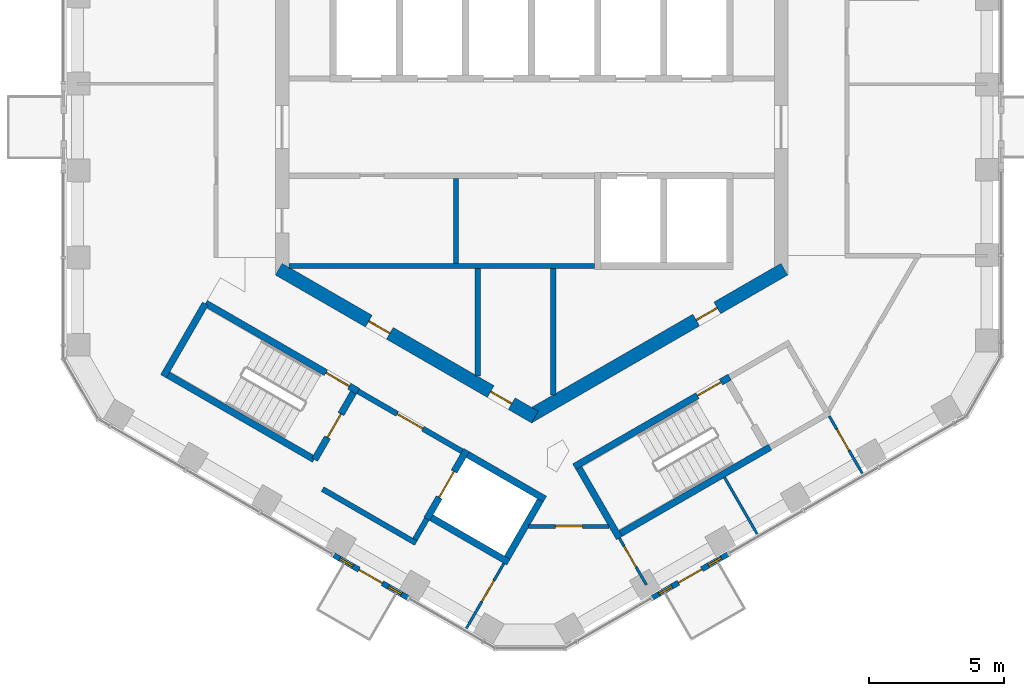
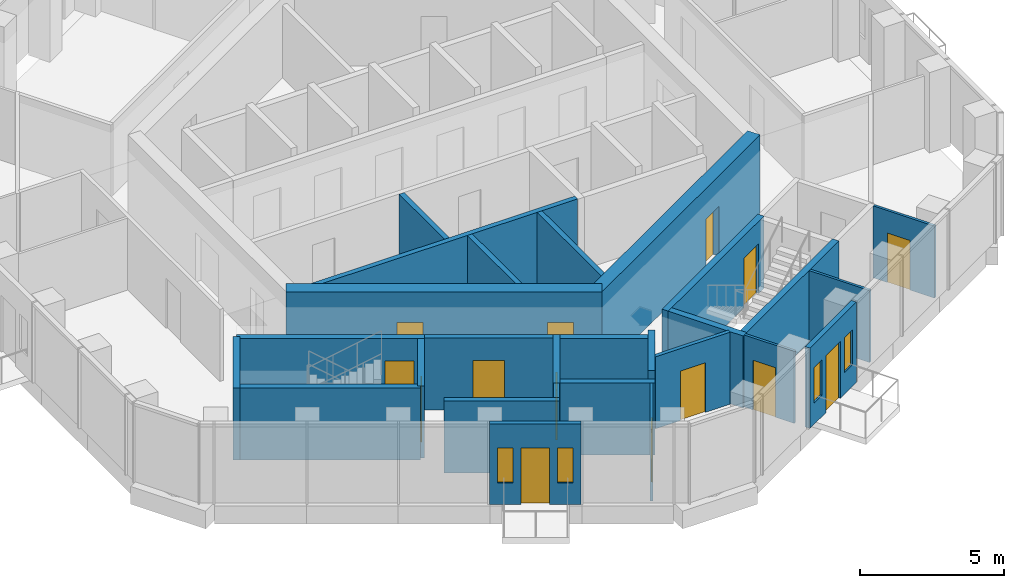
# One storey, part 13 of 19: 27 walls, 14 doors, 4 windows, 18 openings.
"""IFC4 building model written with IfcOpenShell, lengths in metres."""

from ifc_helpers import new_model, si_unit, direction, frame, frame_2d, origin, place, context, subcontext, project, spatial, rectangle, extrude, material, layer, layer_set, type_object, element, fill, save


model = new_model("IFC4")

# Units and contexts
model_context = context("Model", 3, precision=1e-05, world=origin(), true_north=direction((0.0, 1.0)))
body_context = subcontext(model_context, "Body", "Model", "MODEL_VIEW")
ifc_project = project(units=[si_unit("LENGTHUNIT", "METRE"), si_unit("AREAUNIT", "SQUARE_METRE"), si_unit("VOLUMEUNIT", "CUBIC_METRE"), si_unit("PLANEANGLEUNIT", "RADIAN"), si_unit("MASSUNIT", "GRAM", prefix="KILO")], contexts=[model_context])

# Site, building, storey
site_placement = place(None, origin())
site = spatial("IfcSite", under=ifc_project, at=site_placement, CompositionType="ELEMENT")
building_placement = place(site_placement, origin())
building = spatial("IfcBuilding", under=site, at=building_placement, Name="Ayvan Gate Tower", CompositionType="ELEMENT")
storey_placement = place(building_placement, frame((0.0, 0.0, 222.300048828125)))
storey = spatial("IfcBuildingStorey", under=building, at=storey_placement, Name="L59", CompositionType="ELEMENT", Elevation=222.300048828125)

# Wall, openings, door, windows
ifc_material_1 = material(Name="Insulated metal panel wall")
ifc_layer_1 = layer(ifc_material_1, 0.199951171875)
ifc_layer_set_1 = layer_set([ifc_layer_1], Name="Insulated metal panel wall")
wall_type_1 = type_object("IfcWallType", Name="Balcony door wall 200", PredefinedType="SOLIDWALL", material=ifc_layer_set_1)
wall_1_placement = place(storey_placement, frame((-7.3349609375, -15.871337890625, 0.0), z_axis=(0.0, 0.0, 1.0), x_axis=(0.866032778651, -0.499987226139, 0.0)))
wall_1 = element("IfcWall", 1, at=wall_1_placement, inside=storey, type_object=wall_type_1, Name="EW:L59:4:3", PredefinedType="SOLIDWALL", context=body_context, shape_type="SweptSolid", body=[
    extrude(rectangle(XDim=3.166015625, YDim=0.199951171875, at=frame_2d((1.5830078125, 0.0))), origin(), (0.0, 0.0, 1.0), 3.39990234375),
])
opening_1_placement = place(wall_1_placement, frame((1.0830078125, 0.0, 0.0)))
opening_1 = element("IfcOpeningElement", 2, at=opening_1_placement, cuts=wall_1, Name="Opening L59-D94", PredefinedType="OPENING", context=body_context, shape_type="SweptSolid", body=[
    extrude(rectangle(XDim=1.0, YDim=2.39990234375, at=frame_2d((0.5, 1.199951171875))), frame((0.0, 0.10986328125, 0.0), z_axis=(0.0, -1.0, 0.0), x_axis=(1.0, 0.0, 0.0)), (0.0, 0.0, 1.0), 0.219970703125),
])
opening_2_placement = place(wall_1_placement, frame((0.2666015625, 0.0, 0.89990234375)))
opening_2 = element("IfcOpeningElement", 3, at=opening_2_placement, cuts=wall_1, Name="Opening W-B4", PredefinedType="OPENING", context=body_context, shape_type="SweptSolid", body=[
    extrude(rectangle(XDim=0.550048828125, YDim=1.5, at=frame_2d((0.27490234375, 0.75))), frame((0.0, 0.10986328125, 0.0), z_axis=(0.0, -1.0, 0.0), x_axis=(1.0, 0.0, 0.0)), (0.0, 0.0, 1.0), 0.219970703125),
])
opening_3_placement = place(wall_1_placement, frame((2.349609375, 0.0, 0.89990234375)))
opening_3 = element("IfcOpeningElement", 4, at=opening_3_placement, cuts=wall_1, Name="Opening W-B4", PredefinedType="OPENING", context=body_context, shape_type="SweptSolid", body=[
    extrude(rectangle(XDim=0.550048828125, YDim=1.5, at=frame_2d((0.27490234375, 0.75))), frame((0.0, 0.10986328125, 0.0), z_axis=(0.0, -1.0, 0.0), x_axis=(1.0, 0.0, 0.0)), (0.0, 0.0, 1.0), 0.219970703125),
])
ifc_material_2 = material(Name="Bronze anodised aluminium and clear glass", Category="aluminium")
door_type_1 = type_object("IfcDoorType", Name="Balcony door D-B", OperationType="SINGLE_SWING_RIGHT", PredefinedType="DOOR", material=ifc_material_2)
door_1_placement = place(opening_1_placement, origin())
door_1 = element("IfcDoor", 5, at=door_1_placement, inside=storey, type_object=door_type_1, Name="Balcony door BAL-L59-4", OperationType="SINGLE_SWING_RIGHT", OverallHeight=2.39990234375, OverallWidth=1.0, PredefinedType="DOOR", context=body_context, shape_type="SweptSolid", body=[
    extrude(rectangle(XDim=1.0, YDim=2.39990234375, at=frame_2d((0.5, 1.199951171875))), frame((0.0, 0.02490234375, 0.0), z_axis=(0.0, -1.0, 0.0), x_axis=(1.0, 0.0, 0.0)), (0.0, 0.0, 1.0), 0.050048828125),
])
fill(opening_1, door_1)
window_type = type_object("IfcWindowType", Name="Balcony side light W-B Z4", PartitioningType="SINGLE_PANEL", PredefinedType="WINDOW", material=ifc_material_2)
window_1_placement = place(opening_2_placement, origin())
window_1 = element("IfcWindow", 6, at=window_1_placement, inside=storey, type_object=window_type, Name="Balcony side light BAL-L59-4.1", OverallHeight=1.5, OverallWidth=0.550048828125, PartitioningType="SINGLE_PANEL", PredefinedType="WINDOW", context=body_context, shape_type="SweptSolid", body=[
    extrude(rectangle(XDim=0.550048828125, YDim=1.5, at=frame_2d((0.27490234375, 0.75))), frame((0.0, 0.030029296875, 0.0), z_axis=(0.0, -1.0, 0.0), x_axis=(1.0, 0.0, 0.0)), (0.0, 0.0, 1.0), 0.06005859375),
])
fill(opening_2, window_1)
window_2_placement = place(opening_3_placement, origin())
window_2 = element("IfcWindow", 7, at=window_2_placement, inside=storey, type_object=window_type, Name="Balcony side light BAL-L59-4.2", OverallHeight=1.5, OverallWidth=0.550048828125, PartitioningType="SINGLE_PANEL", PredefinedType="WINDOW", context=body_context, shape_type="SweptSolid", body=[
    extrude(rectangle(XDim=0.550048828125, YDim=1.5, at=frame_2d((0.27490234375, 0.75))), frame((0.0, 0.030029296875, 0.0), z_axis=(0.0, -1.0, 0.0), x_axis=(1.0, 0.0, 0.0)), (0.0, 0.0, 1.0), 0.06005859375),
])
fill(opening_3, window_2)

wall_2_placement = place(storey_placement, frame((4.48388671875, -17.448974609375, 0.0), z_axis=(0.0, 0.0, 1.0), x_axis=(0.866023062494, 0.500004055213, 0.0)))
wall_2 = element("IfcWall", 8, at=wall_2_placement, inside=storey, type_object=wall_type_1, Name="EW:L59:5:1", PredefinedType="SOLIDWALL", context=body_context, shape_type="SweptSolid", body=[
    extrude(rectangle(XDim=3.22705078125, YDim=0.199951171875, at=frame_2d((1.613525390625, 0.0))), origin(), (0.0, 0.0, 1.0), 3.39990234375),
])
opening_4_placement = place(wall_2_placement, frame((1.113525390625, 0.0, 0.0)))
opening_4 = element("IfcOpeningElement", 9, at=opening_4_placement, cuts=wall_2, Name="Opening L59-D95", PredefinedType="OPENING", context=body_context, shape_type="SweptSolid", body=[
    extrude(rectangle(XDim=1.0, YDim=2.39990234375, at=frame_2d((0.5, 1.199951171875))), frame((0.0, 0.10986328125, 0.0), z_axis=(0.0, -1.0, 0.0), x_axis=(1.0, 0.0, 0.0)), (0.0, 0.0, 1.0), 0.219970703125),
])
opening_5_placement = place(wall_2_placement, frame((0.28173828125, 0.0, 0.89990234375)))
opening_5 = element("IfcOpeningElement", 10, at=opening_5_placement, cuts=wall_2, Name="Opening W-B4", PredefinedType="OPENING", context=body_context, shape_type="SweptSolid", body=[
    extrude(rectangle(XDim=0.550048828125, YDim=1.5, at=frame_2d((0.27490234375, 0.75))), frame((0.0, 0.10986328125, 0.0), z_axis=(0.0, -1.0, 0.0), x_axis=(1.0, 0.0, 0.0)), (0.0, 0.0, 1.0), 0.219970703125),
])
opening_6_placement = place(wall_2_placement, frame((2.395263671875, 0.0, 0.89990234375)))
opening_6 = element("IfcOpeningElement", 11, at=opening_6_placement, cuts=wall_2, Name="Opening W-B4", PredefinedType="OPENING", context=body_context, shape_type="SweptSolid", body=[
    extrude(rectangle(XDim=0.550048828125, YDim=1.5, at=frame_2d((0.27490234375, 0.75))), frame((0.0, 0.10986328125, 0.0), z_axis=(0.0, -1.0, 0.0), x_axis=(1.0, 0.0, 0.0)), (0.0, 0.0, 1.0), 0.219970703125),
])
door_2_placement = place(opening_4_placement, origin())
door_2 = element("IfcDoor", 12, at=door_2_placement, inside=storey, type_object=door_type_1, Name="Balcony door BAL-L59-5", OperationType="SINGLE_SWING_RIGHT", OverallHeight=2.39990234375, OverallWidth=1.0, PredefinedType="DOOR", context=body_context, shape_type="SweptSolid", body=[
    extrude(rectangle(XDim=1.0, YDim=2.39990234375, at=frame_2d((0.5, 1.199951171875))), frame((0.0, 0.02490234375, 0.0), z_axis=(0.0, -1.0, 0.0), x_axis=(1.0, 0.0, 0.0)), (0.0, 0.0, 1.0), 0.050048828125),
])
fill(opening_4, door_2)
window_3_placement = place(opening_5_placement, origin())
window_3 = element("IfcWindow", 13, at=window_3_placement, inside=storey, type_object=window_type, Name="Balcony side light BAL-L59-5.1", OverallHeight=1.5, OverallWidth=0.550048828125, PartitioningType="SINGLE_PANEL", PredefinedType="WINDOW", context=body_context, shape_type="SweptSolid", body=[
    extrude(rectangle(XDim=0.550048828125, YDim=1.5, at=frame_2d((0.27490234375, 0.75))), frame((0.0, 0.030029296875, 0.0), z_axis=(0.0, -1.0, 0.0), x_axis=(1.0, 0.0, 0.0)), (0.0, 0.0, 1.0), 0.06005859375),
])
fill(opening_5, window_3)
window_4_placement = place(opening_6_placement, origin())
window_4 = element("IfcWindow", 14, at=window_4_placement, inside=storey, type_object=window_type, Name="Balcony side light BAL-L59-5.2", OverallHeight=1.5, OverallWidth=0.550048828125, PartitioningType="SINGLE_PANEL", PredefinedType="WINDOW", context=body_context, shape_type="SweptSolid", body=[
    extrude(rectangle(XDim=0.550048828125, YDim=1.5, at=frame_2d((0.27490234375, 0.75))), frame((0.0, 0.030029296875, 0.0), z_axis=(0.0, -1.0, 0.0), x_axis=(1.0, 0.0, 0.0)), (0.0, 0.0, 1.0), 0.06005859375),
])
fill(opening_6, window_4)

# Wall, openings, doors
ifc_material_3 = material(Name="Concrete C60/75", Category="concrete")
ifc_layer_2 = layer(ifc_material_3, 0.5)
ifc_layer_set_2 = layer_set([ifc_layer_2], Name="Concrete C60/75")
wall_type_2 = type_object("IfcWallType", Name="Core wall 500 C60/75", PredefinedType="SHEAR", material=ifc_layer_set_2)
wall_3_placement = place(storey_placement, frame((-9.375, -5.268310546875, 0.0), z_axis=(0.0, 0.0, 1.0), x_axis=(0.866023993627, -0.500002442456, 0.0)))
wall_3 = element("IfcWall", 15, at=wall_3_placement, inside=storey, type_object=wall_type_2, Name="CORE-L59-4", PredefinedType="SHEAR", context=body_context, shape_type="SweptSolid", body=[
    extrude(rectangle(XDim=10.9697265625, YDim=0.5, at=frame_2d((5.48486328125, 0.0))), origin(), (0.0, 0.0, 1.0), 3.39990234375),
])
opening_7_placement = place(wall_3_placement, frame((3.857177734375, 0.0, 0.0)))
opening_7 = element("IfcOpeningElement", 16, at=opening_7_placement, cuts=wall_3, Name="Opening L59-D98", PredefinedType="OPENING", context=body_context, shape_type="SweptSolid", body=[
    extrude(rectangle(XDim=0.89990234375, YDim=2.10009765625, at=frame_2d((0.449951171875, 1.050048828125))), frame((0.0, 0.260009765625, 0.0), z_axis=(0.0, -1.0, 0.0), x_axis=(1.0, 0.0, 0.0)), (0.0, 0.0, 1.0), 0.52001953125),
])
opening_8_placement = place(wall_3_placement, frame((9.07568359375, 0.0, 0.0)))
opening_8 = element("IfcOpeningElement", 17, at=opening_8_placement, cuts=wall_3, Name="Opening L59-D99", PredefinedType="OPENING", context=body_context, shape_type="SweptSolid", body=[
    extrude(rectangle(XDim=0.89990234375, YDim=2.10009765625, at=frame_2d((0.449951171875, 1.050048828125))), frame((0.0, 0.260009765625, 0.0), z_axis=(0.0, -1.0, 0.0), x_axis=(1.0, 0.0, 0.0)), (0.0, 0.0, 1.0), 0.52001953125),
])
ifc_material_4 = material(Name="Timber door leaf", Category="wood")
door_type_2 = type_object("IfcDoorType", Name="DT-900", OperationType="NOTDEFINED", PredefinedType="DOOR", material=ifc_material_4)
door_3_placement = place(opening_7_placement, origin())
door_3 = element("IfcDoor", 18, at=door_3_placement, inside=storey, type_object=door_type_2, Name="CD-L59-98", OperationType="SINGLE_SWING_LEFT", OverallHeight=2.10009765625, OverallWidth=0.89990234375, PredefinedType="DOOR", context=body_context, shape_type="SweptSolid", body=[
    extrude(rectangle(XDim=0.89990234375, YDim=2.10009765625, at=frame_2d((0.449951171875, 1.050048828125))), frame((0.0, 0.02490234375, 0.0), z_axis=(0.0, -1.0, 0.0), x_axis=(1.0, 0.0, 0.0)), (0.0, 0.0, 1.0), 0.050048828125),
])
fill(opening_7, door_3)
door_4_placement = place(opening_8_placement, origin())
door_4 = element("IfcDoor", 19, at=door_4_placement, inside=storey, type_object=door_type_2, Name="CD-L59-99", OperationType="SINGLE_SWING_RIGHT", OverallHeight=2.10009765625, OverallWidth=0.89990234375, PredefinedType="DOOR", context=body_context, shape_type="SweptSolid", body=[
    extrude(rectangle(XDim=0.89990234375, YDim=2.10009765625, at=frame_2d((0.449951171875, 1.050048828125))), frame((0.0, 0.02490234375, 0.0), z_axis=(0.0, -1.0, 0.0), x_axis=(1.0, 0.0, 0.0)), (0.0, 0.0, 1.0), 0.050048828125),
])
fill(opening_8, door_4)

# Wall, opening, door
wall_4_placement = place(storey_placement, frame((-0.125, -10.753173828125, 0.0), z_axis=(0.0, 0.0, 1.0), x_axis=(0.866023993627, 0.500002442456, 0.0)))
wall_4 = element("IfcWall", 20, at=wall_4_placement, inside=storey, type_object=wall_type_2, Name="CORE-L59-5", PredefinedType="SHEAR", context=body_context, shape_type="SweptSolid", body=[
    extrude(rectangle(XDim=10.9697265625, YDim=0.5, at=frame_2d((5.48486328125, 0.0))), origin(), (0.0, 0.0, 1.0), 3.39990234375),
])
opening_9_placement = place(wall_4_placement, frame((7.1953125, 0.0, 0.0)))
opening_9 = element("IfcOpeningElement", 21, at=opening_9_placement, cuts=wall_4, Name="Opening L59-D100", PredefinedType="OPENING", context=body_context, shape_type="SweptSolid", body=[
    extrude(rectangle(XDim=0.89990234375, YDim=2.10009765625, at=frame_2d((0.449951171875, 1.050048828125))), frame((0.0, 0.260009765625, 0.0), z_axis=(0.0, -1.0, 0.0), x_axis=(1.0, 0.0, 0.0)), (0.0, 0.0, 1.0), 0.52001953125),
])
door_5_placement = place(opening_9_placement, origin())
door_5 = element("IfcDoor", 22, at=door_5_placement, inside=storey, type_object=door_type_2, Name="CD-L59-100", OperationType="SINGLE_SWING_LEFT", OverallHeight=2.10009765625, OverallWidth=0.89990234375, PredefinedType="DOOR", context=body_context, shape_type="SweptSolid", body=[
    extrude(rectangle(XDim=0.89990234375, YDim=2.10009765625, at=frame_2d((0.449951171875, 1.050048828125))), frame((0.0, 0.02490234375, 0.0), z_axis=(0.0, -1.0, 0.0), x_axis=(1.0, 0.0, 0.0)), (0.0, 0.0, 1.0), 0.050048828125),
])
fill(opening_9, door_5)

ifc_material_5 = material(Name="Plasterboard on steel stud", Category="steel")
ifc_layer_3 = layer(ifc_material_5, 0.14990234375)
ifc_layer_set_3 = layer_set([ifc_layer_3], Name="Plasterboard on steel stud")
wall_type_3 = type_object("IfcWallType", Name="WT-CORR-150", PredefinedType="PARTITIONING", material=ifc_layer_set_3)
wall_5_placement = place(storey_placement, frame((2.878173828125, -14.801513671875, 0.0), z_axis=(0.0, 0.0, 1.0), x_axis=(-1.0, 0.0, 0.0)))
wall_5 = element("IfcWall", 23, at=wall_5_placement, inside=storey, type_object=wall_type_3, Name="IW-L59-045", PredefinedType="PARTITIONING", context=body_context, shape_type="SweptSolid", body=[
    extrude(rectangle(XDim=2.985107421875, YDim=0.14990234375, at=frame_2d((1.49267578125, 0.0))), origin(), (0.0, 0.0, 1.0), 3.050048828125),
])
opening_10_placement = place(wall_5_placement, frame((0.992431640625, 0.0, 0.0)))
opening_10 = element("IfcOpeningElement", 24, at=opening_10_placement, cuts=wall_5, Name="Opening L59-D30", PredefinedType="OPENING", context=body_context, shape_type="SweptSolid", body=[
    extrude(rectangle(XDim=1.0, YDim=2.10009765625, at=frame_2d((0.5, 1.050048828125))), frame((0.0, 0.0849609375, 0.0), z_axis=(0.0, -1.0, 0.0), x_axis=(1.0, 0.0, 0.0)), (0.0, 0.0, 1.0), 0.169921875),
])
door_type_3 = type_object("IfcDoorType", Name="DT-1000", OperationType="NOTDEFINED", PredefinedType="DOOR", material=ifc_material_4)
door_6_placement = place(opening_10_placement, origin())
door_6 = element("IfcDoor", 25, at=door_6_placement, inside=storey, type_object=door_type_3, Name="ID-L59-030", OperationType="SINGLE_SWING_LEFT", OverallHeight=2.10009765625, OverallWidth=1.0, PredefinedType="DOOR", context=body_context, shape_type="SweptSolid", body=[
    extrude(rectangle(XDim=1.0, YDim=2.10009765625, at=frame_2d((0.5, 1.050048828125))), frame((0.0, 0.02490234375, 0.0), z_axis=(0.0, -1.0, 0.0), x_axis=(1.0, 0.0, 0.0)), (0.0, 0.0, 1.0), 0.050048828125),
])
fill(opening_10, door_6)

ifc_layer_4 = layer(ifc_material_5, 0.10009765625)
ifc_layer_set_4 = layer_set([ifc_layer_4], Name="Plasterboard on steel stud")
wall_type_4 = type_object("IfcWallType", Name="WT-PART-100", PredefinedType="PARTITIONING", material=ifc_layer_set_4)
wall_6_placement = place(storey_placement, frame((-2.4189453125, -18.589599609375, 0.0), z_axis=(0.0, 0.0, 1.0), x_axis=(0.500016013541, 0.866016158165, 0.0)))
wall_6 = element("IfcWall", 26, at=wall_6_placement, inside=storey, type_object=wall_type_4, Name="IW-L59-028", PredefinedType="PARTITIONING", context=body_context, shape_type="SweptSolid", body=[
    extrude(rectangle(XDim=2.78369140625, YDim=0.10009765625, at=frame_2d((1.391845703125, 0.0))), origin(), (0.0, 0.0, 1.0), 3.050048828125),
])
opening_11_placement = place(wall_6_placement, frame((1.15234375, 0.0, 0.0)))
opening_11 = element("IfcOpeningElement", 27, at=opening_11_placement, cuts=wall_6, Name="Opening L59-D31", PredefinedType="OPENING", context=body_context, shape_type="SweptSolid", body=[
    extrude(rectangle(XDim=0.89990234375, YDim=2.10009765625, at=frame_2d((0.449951171875, 1.050048828125))), frame((0.0, 0.06005859375, 0.0), z_axis=(0.0, -1.0, 0.0), x_axis=(1.0, 0.0, 0.0)), (0.0, 0.0, 1.0), 0.1201171875),
])
door_7_placement = place(opening_11_placement, origin())
door_7 = element("IfcDoor", 28, at=door_7_placement, inside=storey, type_object=door_type_2, Name="ID-L59-031", OperationType="SINGLE_SWING_RIGHT", OverallHeight=2.10009765625, OverallWidth=0.89990234375, PredefinedType="DOOR", context=body_context, shape_type="SweptSolid", body=[
    extrude(rectangle(XDim=0.89990234375, YDim=2.10009765625, at=frame_2d((0.449951171875, 1.050048828125))), frame((0.0, 0.02490234375, 0.0), z_axis=(0.0, -1.0, 0.0), x_axis=(1.0, 0.0, 0.0)), (0.0, 0.0, 1.0), 0.050048828125),
])
fill(opening_11, door_7)

wall_7_placement = place(storey_placement, frame((3.255615234375, -15.23876953125, 0.0), z_axis=(0.0, 0.0, 1.0), x_axis=(0.499940491075, -0.866059758552, 0.0)))
wall_7 = element("IfcWall", 29, at=wall_7_placement, inside=storey, type_object=wall_type_4, Name="IW-L59-047", PredefinedType="PARTITIONING", context=body_context, shape_type="SweptSolid", body=[
    extrude(rectangle(XDim=2.003173828125, YDim=0.10009765625, at=frame_2d((1.00146484375, 0.0))), origin(), (0.0, 0.0, 1.0), 3.050048828125),
])
opening_12_placement = place(wall_7_placement, frame((0.3515625, 0.0, 0.0)))
opening_12 = element("IfcOpeningElement", 30, at=opening_12_placement, cuts=wall_7, Name="Opening L59-D32", PredefinedType="OPENING", context=body_context, shape_type="SweptSolid", body=[
    extrude(rectangle(XDim=0.89990234375, YDim=2.10009765625, at=frame_2d((0.449951171875, 1.050048828125))), frame((0.0, 0.06005859375, 0.0), z_axis=(0.0, -1.0, 0.0), x_axis=(1.0, 0.0, 0.0)), (0.0, 0.0, 1.0), 0.1201171875),
])
door_8_placement = place(opening_12_placement, origin())
door_8 = element("IfcDoor", 31, at=door_8_placement, inside=storey, type_object=door_type_2, Name="ID-L59-032", OperationType="SINGLE_SWING_LEFT", OverallHeight=2.10009765625, OverallWidth=0.89990234375, PredefinedType="DOOR", context=body_context, shape_type="SweptSolid", body=[
    extrude(rectangle(XDim=0.89990234375, YDim=2.10009765625, at=frame_2d((0.449951171875, 1.050048828125))), frame((0.0, 0.02490234375, 0.0), z_axis=(0.0, -1.0, 0.0), x_axis=(1.0, 0.0, 0.0)), (0.0, 0.0, 1.0), 0.050048828125),
])
fill(opening_12, door_8)

# Wall
wall_8_placement = place(storey_placement, frame((7.152587890625, -12.98876953125, 0.0), z_axis=(0.0, 0.0, 1.0), x_axis=(0.500027571904, -0.866009484553, 0.0)))
element("IfcWall", 32, at=wall_8_placement, inside=storey, type_object=wall_type_4, Name="IW-L59-056", PredefinedType="PARTITIONING", context=body_context, shape_type="SweptSolid", body=[
    extrude(rectangle(XDim=2.424072265625, YDim=0.10009765625, at=frame_2d((1.2119140625, 0.0))), origin(), (0.0, 0.0, 1.0), 3.050048828125),
])

# Wall, opening, door
wall_9_placement = place(storey_placement, frame((12.261962890625, -12.838134765625, 0.0), z_axis=(0.0, 0.0, 1.0), x_axis=(-0.499998569178, 0.866026229868, 0.0)))
wall_9 = element("IfcWall", 33, at=wall_9_placement, inside=storey, type_object=wall_type_4, Name="IW-L59-072", PredefinedType="PARTITIONING", context=body_context, shape_type="SweptSolid", body=[
    extrude(rectangle(XDim=2.44921875, YDim=0.10009765625, at=frame_2d((1.224609375, 0.0))), origin(), (0.0, 0.0, 1.0), 3.050048828125),
])
opening_13_placement = place(wall_9_placement, frame((0.985107421875, 0.0, 0.0)))
opening_13 = element("IfcOpeningElement", 34, at=opening_13_placement, cuts=wall_9, Name="Opening L59-D34", PredefinedType="OPENING", context=body_context, shape_type="SweptSolid", body=[
    extrude(rectangle(XDim=0.89990234375, YDim=2.10009765625, at=frame_2d((0.449951171875, 1.050048828125))), frame((0.0, 0.06005859375, 0.0), z_axis=(0.0, -1.0, 0.0), x_axis=(1.0, 0.0, 0.0)), (0.0, 0.0, 1.0), 0.1201171875),
])
door_9_placement = place(opening_13_placement, origin())
door_9 = element("IfcDoor", 35, at=door_9_placement, inside=storey, type_object=door_type_2, Name="ID-L59-034", OperationType="SINGLE_SWING_LEFT", OverallHeight=2.10009765625, OverallWidth=0.89990234375, PredefinedType="DOOR", context=body_context, shape_type="SweptSolid", body=[
    extrude(rectangle(XDim=0.89990234375, YDim=2.10009765625, at=frame_2d((0.449951171875, 1.050048828125))), frame((0.0, 0.02490234375, 0.0), z_axis=(0.0, -1.0, 0.0), x_axis=(1.0, 0.0, 0.0)), (0.0, 0.0, 1.0), 0.050048828125),
])
fill(opening_13, door_9)

# Wall
ifc_layer_5 = layer(ifc_material_5, 0.199951171875)
ifc_layer_set_5 = layer_set([ifc_layer_5], Name="Plasterboard on steel stud")
wall_type_5 = type_object("IfcWallType", Name="WT-RATED-200", PredefinedType="PARTITIONING", material=ifc_layer_set_5)
wall_10_placement = place(storey_placement, frame((-9.0, -5.14990234375, 0.0), z_axis=(0.0, 0.0, 1.0), x_axis=(1.0, 0.0, 0.0)))
element("IfcWall", 36, at=wall_10_placement, inside=storey, type_object=wall_type_5, Name="IW-L59-011", PredefinedType="PARTITIONING", context=body_context, shape_type="SweptSolid", body=[
    extrude(rectangle(XDim=11.3251953125, YDim=0.199951171875, at=frame_2d((5.66259765625, 0.0))), origin(), (0.0, 0.0, 1.0), 3.050048828125),
])

# Wall, opening, door
wall_11_placement = place(storey_placement, frame((-6.4345703125, -9.794921875, 0.0), z_axis=(0.0, 0.0, 1.0), x_axis=(0.866012907634, -0.500021643343, 0.0)))
wall_11 = element("IfcWall", 37, at=wall_11_placement, inside=storey, type_object=wall_type_5, Name="IW-L59-017", PredefinedType="PARTITIONING", context=body_context, shape_type="SweptSolid", body=[
    extrude(rectangle(XDim=4.449951171875, YDim=0.199951171875, at=frame_2d((2.22509765625, 0.0))), origin(), (0.0, 0.0, 1.0), 3.050048828125),
])
opening_14_placement = place(wall_11_placement, frame((1.675048828125, 0.0, 0.0)))
opening_14 = element("IfcOpeningElement", 38, at=opening_14_placement, cuts=wall_11, Name="Opening L59-D16", PredefinedType="OPENING", context=body_context, shape_type="SweptSolid", body=[
    extrude(rectangle(XDim=1.10009765625, YDim=2.10009765625, at=frame_2d((0.550048828125, 1.050048828125))), frame((0.0, 0.10986328125, 0.0), z_axis=(0.0, -1.0, 0.0), x_axis=(1.0, 0.0, 0.0)), (0.0, 0.0, 1.0), 0.219970703125),
])
door_type_4 = type_object("IfcDoorType", Name="DT-1100", OperationType="NOTDEFINED", PredefinedType="DOOR", material=ifc_material_4)
door_10_placement = place(opening_14_placement, origin())
door_10 = element("IfcDoor", 39, at=door_10_placement, inside=storey, type_object=door_type_4, Name="ID-L59-016", OperationType="SINGLE_SWING_LEFT", OverallHeight=2.10009765625, OverallWidth=1.10009765625, PredefinedType="DOOR", context=body_context, shape_type="SweptSolid", body=[
    extrude(rectangle(XDim=1.10009765625, YDim=2.10009765625, at=frame_2d((0.550048828125, 1.050048828125))), frame((0.0, 0.02490234375, 0.0), z_axis=(0.0, -1.0, 0.0), x_axis=(1.0, 0.0, 0.0)), (0.0, 0.0, 1.0), 0.050048828125),
])
fill(opening_14, door_10)

# Walls
wall_12_placement = place(storey_placement, frame((-4.285888671875, -15.42333984375, 0.0), z_axis=(0.0, 0.0, 1.0), x_axis=(-0.866026010844, 0.49999894854, 0.0)))
element("IfcWall", 40, at=wall_12_placement, inside=storey, type_object=wall_type_5, Name="IW-L59-019", PredefinedType="PARTITIONING", context=body_context, shape_type="SweptSolid", body=[
    extrude(rectangle(XDim=4.0, YDim=0.199951171875, at=frame_2d((2.0, 0.0))), origin(), (0.0, 0.0, 1.0), 3.050048828125),
])
wall_13_placement = place(storey_placement, frame((-3.885009765625, -14.52880859375, 0.0), z_axis=(0.0, 0.0, 1.0), x_axis=(-0.499859285417, -0.866106630146, 0.0)))
element("IfcWall", 41, at=wall_13_placement, inside=storey, type_object=wall_type_5, Name="IW-L59-020", PredefinedType="PARTITIONING", context=body_context, shape_type="SweptSolid", body=[
    extrude(rectangle(XDim=0.875244140625, YDim=0.199951171875, at=frame_2d((0.4375, 0.0))), origin(), (0.0, 0.0, 1.0), 3.050048828125),
])
wall_14_placement = place(storey_placement, frame((-2.800048828125, -1.89990234375, 0.0), z_axis=(0.0, 0.0, 1.0), x_axis=(0.0, -1.0, 0.0)))
element("IfcWall", 42, at=wall_14_placement, inside=storey, type_object=wall_type_5, Name="IW-L59-023", PredefinedType="PARTITIONING", context=body_context, shape_type="SweptSolid", body=[
    extrude(rectangle(XDim=3.150146484375, YDim=0.199951171875, at=frame_2d((1.5751953125, 0.0))), origin(), (0.0, 0.0, 1.0), 3.050048828125),
])
wall_15_placement = place(storey_placement, frame((-2.0, -5.25, 0.0), z_axis=(0.0, 0.0, 1.0), x_axis=(0.0, -1.0, 0.0)))
element("IfcWall", 43, at=wall_15_placement, inside=storey, type_object=wall_type_5, Name="IW-L59-029", PredefinedType="PARTITIONING", context=body_context, shape_type="SweptSolid", body=[
    extrude(rectangle(XDim=3.987548828125, YDim=0.199951171875, at=frame_2d((1.99365234375, 0.0))), origin(), (0.0, 0.0, 1.0), 3.050048828125),
])
wall_16_placement = place(storey_placement, frame((0.800048828125, -5.25, 0.0), z_axis=(0.0, 0.0, 1.0), x_axis=(0.0, -1.0, 0.0)))
element("IfcWall", 44, at=wall_16_placement, inside=storey, type_object=wall_type_5, Name="IW-L59-037", PredefinedType="PARTITIONING", context=body_context, shape_type="SweptSolid", body=[
    extrude(rectangle(XDim=4.680419921875, YDim=0.199951171875, at=frame_2d((2.34033203125, 0.0))), origin(), (0.0, 0.0, 1.0), 3.050048828125),
])
ifc_material_6 = material(Name="Concrete C50/60", Category="concrete")
ifc_layer_6 = layer(ifc_material_6, 0.25)
ifc_layer_set_6 = layer_set([ifc_layer_6], Name="Concrete C50/60")
wall_type_6 = type_object("IfcWallType", Name="WT-RC-250", PredefinedType="SHEAR", material=ifc_layer_set_6)
wall_17_placement = place(storey_placement, frame((-13.64794921875, -9.23876953125, 0.0), z_axis=(0.0, 0.0, 1.0), x_axis=(0.500003782172, 0.866023220135, 0.0)))
element("IfcWall", 45, at=wall_17_placement, inside=storey, type_object=wall_type_6, Name="IW-L59-002", PredefinedType="SHEAR", context=body_context, shape_type="SweptSolid", body=[
    extrude(rectangle(XDim=3.10498046875, YDim=0.25, at=frame_2d((1.552490234375, 0.0))), origin(), (0.0, 0.0, 1.0), 3.050048828125),
])

# Wall, opening, door
wall_18_placement = place(storey_placement, frame((-12.08544921875, -6.532470703125, 0.0), z_axis=(0.0, 0.0, 1.0), x_axis=(0.866031063448, -0.499990197047, 0.0)))
wall_18 = element("IfcWall", 46, at=wall_18_placement, inside=storey, type_object=wall_type_6, Name="IW-L59-004", PredefinedType="SHEAR", context=body_context, shape_type="SweptSolid", body=[
    extrude(rectangle(XDim=6.525146484375, YDim=0.25, at=frame_2d((3.2626953125, 0.0))), origin(), (0.0, 0.0, 1.0), 3.050048828125),
])
opening_15_placement = place(wall_18_placement, frame((5.14990234375, 0.0, 0.0)))
opening_15 = element("IfcOpeningElement", 47, at=opening_15_placement, cuts=wall_18, Name="Opening L59-D14", PredefinedType="OPENING", context=body_context, shape_type="SweptSolid", body=[
    extrude(rectangle(XDim=1.0, YDim=2.10009765625, at=frame_2d((0.5, 1.050048828125))), frame((0.0, 0.135009765625, 0.0), z_axis=(0.0, -1.0, 0.0), x_axis=(1.0, 0.0, 0.0)), (0.0, 0.0, 1.0), 0.27001953125),
])
door_11_placement = place(opening_15_placement, origin())
door_11 = element("IfcDoor", 48, at=door_11_placement, inside=storey, type_object=door_type_3, Name="ID-L59-014", OperationType="SINGLE_SWING_LEFT", OverallHeight=2.10009765625, OverallWidth=1.0, PredefinedType="DOOR", context=body_context, shape_type="SweptSolid", body=[
    extrude(rectangle(XDim=1.0, YDim=2.10009765625, at=frame_2d((0.5, 1.050048828125))), frame((0.0, 0.02490234375, 0.0), z_axis=(0.0, -1.0, 0.0), x_axis=(1.0, 0.0, 0.0)), (0.0, 0.0, 1.0), 0.050048828125),
])
fill(opening_15, door_11)

# Wall
wall_19_placement = place(storey_placement, frame((-8.06005859375, -12.320556640625, 0.0), z_axis=(0.0, 0.0, 1.0), x_axis=(-0.866029591389, 0.499992746786, 0.0)))
element("IfcWall", 49, at=wall_19_placement, inside=storey, type_object=wall_type_6, Name="IW-L59-012", PredefinedType="SHEAR", context=body_context, shape_type="SweptSolid", body=[
    extrude(rectangle(XDim=6.2548828125, YDim=0.25, at=frame_2d((3.12744140625, 0.0))), origin(), (0.0, 0.0, 1.0), 3.050048828125),
])

# Wall, opening, door
wall_20_placement = place(storey_placement, frame((-6.605224609375, -9.8408203125, 0.0), z_axis=(0.0, 0.0, 1.0), x_axis=(-0.500011588718, -0.866018712932, 0.0)))
wall_20 = element("IfcWall", 50, at=wall_20_placement, inside=storey, type_object=wall_type_6, Name="IW-L59-016", PredefinedType="SHEAR", context=body_context, shape_type="SweptSolid", body=[
    extrude(rectangle(XDim=2.875, YDim=0.25, at=frame_2d((1.4375, 0.0))), origin(), (0.0, 0.0, 1.0), 3.050048828125),
])
opening_16_placement = place(wall_20_placement, frame((0.923095703125, 0.0, 0.0)))
opening_16 = element("IfcOpeningElement", 51, at=opening_16_placement, cuts=wall_20, Name="Opening L59-D15", PredefinedType="OPENING", context=body_context, shape_type="SweptSolid", body=[
    extrude(rectangle(XDim=1.0, YDim=2.10009765625, at=frame_2d((0.5, 1.050048828125))), frame((0.0, 0.135009765625, 0.0), z_axis=(0.0, -1.0, 0.0), x_axis=(1.0, 0.0, 0.0)), (0.0, 0.0, 1.0), 0.27001953125),
])
door_12_placement = place(opening_16_placement, origin())
door_12 = element("IfcDoor", 52, at=door_12_placement, inside=storey, type_object=door_type_3, Name="ID-L59-015", OperationType="SINGLE_SWING_RIGHT", OverallHeight=2.10009765625, OverallWidth=1.0, PredefinedType="DOOR", context=body_context, shape_type="SweptSolid", body=[
    extrude(rectangle(XDim=1.0, YDim=2.10009765625, at=frame_2d((0.5, 1.050048828125))), frame((0.0, 0.02490234375, 0.0), z_axis=(0.0, -1.0, 0.0), x_axis=(1.0, 0.0, 0.0)), (0.0, 0.0, 1.0), 0.050048828125),
])
fill(opening_16, door_12)

wall_21_placement = place(storey_placement, frame((-2.409912109375, -11.97412109375, 0.0), z_axis=(0.0, 0.0, 1.0), x_axis=(-0.500001826776, -0.866024349092, 0.0)))
wall_21 = element("IfcWall", 53, at=wall_21_placement, inside=storey, type_object=wall_type_6, Name="IW-L59-025", PredefinedType="SHEAR", context=body_context, shape_type="SweptSolid", body=[
    extrude(rectangle(XDim=2.9501953125, YDim=0.25, at=frame_2d((1.47509765625, 0.0))), origin(), (0.0, 0.0, 1.0), 3.050048828125),
])
opening_17_placement = place(wall_21_placement, frame((0.925048828125, 0.0, 0.0)))
opening_17 = element("IfcOpeningElement", 54, at=opening_17_placement, cuts=wall_21, Name="Opening L59-LD-FF2", PredefinedType="OPENING", context=body_context, shape_type="SweptSolid", body=[
    extrude(rectangle(XDim=1.10009765625, YDim=2.10009765625, at=frame_2d((0.550048828125, 1.050048828125))), frame((0.0, 0.135009765625, 0.0), z_axis=(0.0, -1.0, 0.0), x_axis=(1.0, 0.0, 0.0)), (0.0, 0.0, 1.0), 0.27001953125),
])
ifc_material_7 = material(Name="Stainless steel landing door", Category="steel")
door_type_5 = type_object("IfcDoorType", Name="DT-LANDING-1100", OperationType="SLIDING_TO_LEFT", PredefinedType="DOOR", material=ifc_material_7)
door_13_placement = place(opening_17_placement, origin())
door_13 = element("IfcDoor", 55, at=door_13_placement, inside=storey, type_object=door_type_5, Name="ID-L59-017", OperationType="SLIDING_TO_LEFT", OverallHeight=2.10009765625, OverallWidth=1.10009765625, PredefinedType="DOOR", context=body_context, shape_type="SweptSolid", body=[
    extrude(rectangle(XDim=1.10009765625, YDim=2.10009765625, at=frame_2d((0.550048828125, 1.050048828125))), frame((0.0, 0.02490234375, 0.0), z_axis=(0.0, -1.0, 0.0), x_axis=(1.0, 0.0, 0.0)), (0.0, 0.0, 1.0), 0.050048828125),
])
fill(opening_17, door_13)

# Walls
wall_22_placement = place(storey_placement, frame((-2.3642578125, -12.14501953125, 0.0), z_axis=(0.0, 0.0, 1.0), x_axis=(0.866040211805, -0.499974350878, 0.0)))
element("IfcWall", 56, at=wall_22_placement, inside=storey, type_object=wall_type_6, Name="IW-L59-026", PredefinedType="SHEAR", context=body_context, shape_type="SweptSolid", body=[
    extrude(rectangle(XDim=3.300048828125, YDim=0.25, at=frame_2d((1.64990234375, 0.0))), origin(), (0.0, 0.0, 1.0), 3.050048828125),
])
wall_23_placement = place(storey_placement, frame((-0.8564453125, -16.13330078125, 0.0), z_axis=(0.0, 0.0, 1.0), x_axis=(-0.866021716278, 0.500006386895, 0.0)))
element("IfcWall", 57, at=wall_23_placement, inside=storey, type_object=wall_type_6, Name="IW-L59-032", PredefinedType="SHEAR", context=body_context, shape_type="SweptSolid", body=[
    extrude(rectangle(XDim=3.2998046875, YDim=0.25, at=frame_2d((1.64990234375, 0.0))), origin(), (0.0, 0.0, 1.0), 3.050048828125),
])
wall_24_placement = place(storey_placement, frame((-0.902099609375, -15.96240234375, 0.0), z_axis=(0.0, 0.0, 1.0), x_axis=(0.500061746146, 0.865989751695, 0.0)))
element("IfcWall", 58, at=wall_24_placement, inside=storey, type_object=wall_type_6, Name="IW-L59-035", PredefinedType="SHEAR", context=body_context, shape_type="SweptSolid", body=[
    extrude(rectangle(XDim=2.449951171875, YDim=0.25, at=frame_2d((1.22509765625, 0.0))), origin(), (0.0, 0.0, 1.0), 3.39990234375),
])

# Wall, opening, door
wall_25_placement = place(storey_placement, frame((1.584716796875, -12.594970703125, 0.0), z_axis=(0.0, 0.0, 1.0), x_axis=(0.866036417653, 0.499980922934, 0.0)))
wall_25 = element("IfcWall", 59, at=wall_25_placement, inside=storey, type_object=wall_type_6, Name="IW-L59-039", PredefinedType="SHEAR", context=body_context, shape_type="SweptSolid", body=[
    extrude(rectangle(XDim=6.650146484375, YDim=0.25, at=frame_2d((3.3251953125, 0.0))), origin(), (0.0, 0.0, 1.0), 3.050048828125),
])
opening_18_placement = place(wall_25_placement, frame((5.27490234375, 0.0, 0.0)))
opening_18 = element("IfcOpeningElement", 60, at=opening_18_placement, cuts=wall_25, Name="Opening L59-D18", PredefinedType="OPENING", context=body_context, shape_type="SweptSolid", body=[
    extrude(rectangle(XDim=1.0, YDim=2.10009765625, at=frame_2d((0.5, 1.050048828125))), frame((0.0, 0.135009765625, 0.0), z_axis=(0.0, -1.0, 0.0), x_axis=(1.0, 0.0, 0.0)), (0.0, 0.0, 1.0), 0.27001953125),
])
door_14_placement = place(opening_18_placement, origin())
door_14 = element("IfcDoor", 61, at=door_14_placement, inside=storey, type_object=door_type_3, Name="ID-L59-018", OperationType="SINGLE_SWING_LEFT", OverallHeight=2.10009765625, OverallWidth=1.0, PredefinedType="DOOR", context=body_context, shape_type="SweptSolid", body=[
    extrude(rectangle(XDim=1.0, YDim=2.10009765625, at=frame_2d((0.5, 1.050048828125))), frame((0.0, 0.02490234375, 0.0), z_axis=(0.0, -1.0, 0.0), x_axis=(1.0, 0.0, 0.0)), (0.0, 0.0, 1.0), 0.050048828125),
])
fill(opening_18, door_14)

# Walls
wall_26_placement = place(storey_placement, frame((1.755615234375, -12.640869140625, 0.0), z_axis=(0.0, 0.0, 1.0), x_axis=(0.50002537861, -0.866010750942, 0.0)))
element("IfcWall", 62, at=wall_26_placement, inside=storey, type_object=wall_type_6, Name="IW-L59-046", PredefinedType="SHEAR", context=body_context, shape_type="SweptSolid", body=[
    extrude(rectangle(XDim=2.999755859375, YDim=0.25, at=frame_2d((1.5, 0.0))), origin(), (0.0, 0.0, 1.0), 3.050048828125),
])
wall_27_placement = place(storey_placement, frame((3.30126953125, -15.068115234375, 0.0), z_axis=(0.0, 0.0, 1.0), x_axis=(0.866035036182, 0.499983315828, 0.0)))
element("IfcWall", 63, at=wall_27_placement, inside=storey, type_object=wall_type_6, Name="IW-L59-057", PredefinedType="SHEAR", context=body_context, shape_type="SweptSolid", body=[
    extrude(rectangle(XDim=6.400146484375, YDim=0.25, at=frame_2d((3.2001953125, 0.0))), origin(), (0.0, 0.0, 1.0), 3.050048828125),
])

save(model, "model.ifc")
